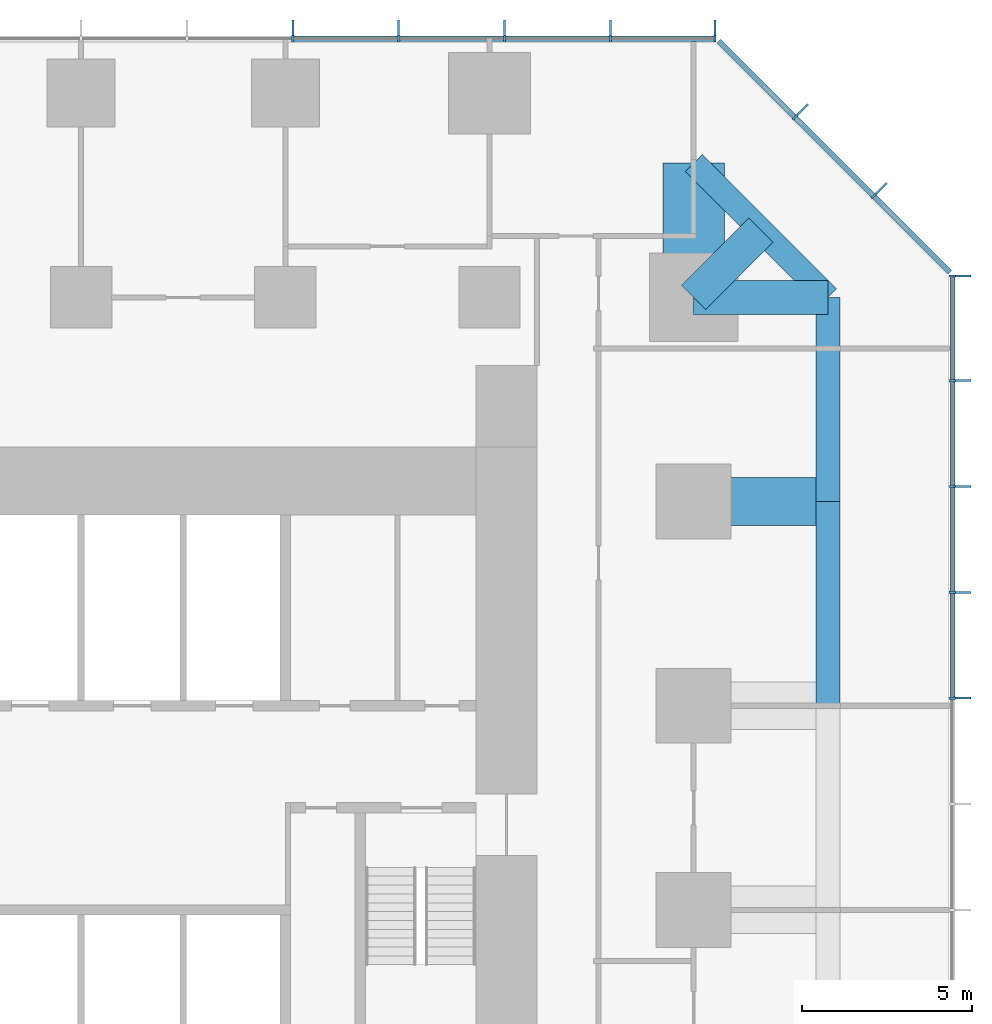
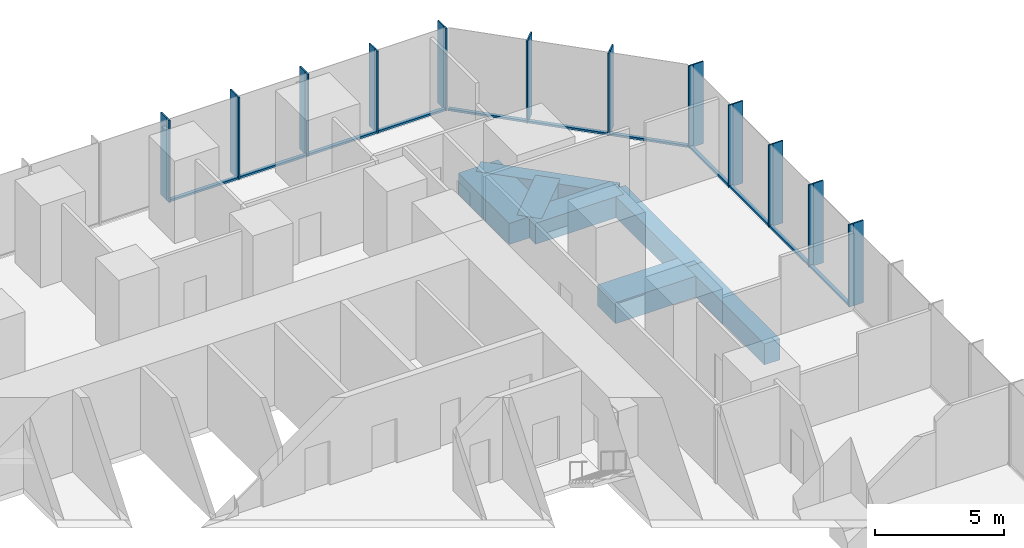
# One storey, part 6 of 12: 35 members, 7 beams, 3 elements without a shape of their own.
"""IFC4 building model written with IfcOpenShell, lengths in metres."""

from ifc_helpers import new_model, si_unit, direction, frame, origin, origin_2d, place, context, subcontext, project, spatial, rectangle, extrude, material, layer, layer_set, material_profile, profile_set, type_object, element, aggregate, save


model = new_model("IFC4")

# Units and contexts
model_context = context("Model", 3, precision=1e-05, world=origin(), true_north=direction((0.0, 1.0)))
body_context = subcontext(model_context, "Body", "Model", "MODEL_VIEW")
ifc_project = project(units=[si_unit("LENGTHUNIT", "METRE"), si_unit("AREAUNIT", "SQUARE_METRE"), si_unit("VOLUMEUNIT", "CUBIC_METRE"), si_unit("PLANEANGLEUNIT", "RADIAN"), si_unit("MASSUNIT", "GRAM", prefix="KILO")], contexts=[model_context])

# Site, building, storey
site_placement = place(None, origin())
site = spatial("IfcSite", under=ifc_project, at=site_placement, CompositionType="ELEMENT")
building_placement = place(site_placement, origin())
building = spatial("IfcBuilding", under=site, at=building_placement, Name="Highveld Stack Headquarters", CompositionType="ELEMENT")
storey_placement = place(building_placement, frame((0.0, 0.0, 53.300048828125)))
storey = spatial("IfcBuildingStorey", under=building, at=storey_placement, Name="L12", CompositionType="ELEMENT", Elevation=53.300048828125)

# Beams
ifc_material_1 = material(Name="Concrete C60/75", Category="concrete")
ifc_material_profile_1 = material_profile(ifc_material_1, rectangle(XDim=1.0, YDim=1.0, at=origin_2d()), Name="RC 1000x1000")
ifc_profile_set_1 = profile_set([ifc_material_profile_1], Name="Concrete C60/75")
beam_type_1 = type_object("IfcBeamType", Name="CANTILEVER RIB RC 1000x1000", PredefinedType="USERDEFINED", material=ifc_profile_set_1)
beam_1_placement = place(storey_placement, frame((24.0, 18.0, -0.75), z_axis=(1.0, 0.0, 0.0), x_axis=(0.0, 1.0, 0.0)))
element("IfcBeam", 1, at=beam_1_placement, inside=storey, type_object=beam_type_1, Name="Cantilever rib 10/H L12", ObjectType="CANTILEVER RIB", PredefinedType="USERDEFINED", context=body_context, shape_type="SweptSolid", body=[
    extrude(rectangle(XDim=1.0, YDim=1.0, at=origin_2d()), origin(), (0.0, 0.0, 1.0), 3.949951171875),
])
beam_2_placement = place(storey_placement, frame((24.0, 18.0, -0.75), z_axis=(0.707106781187, 0.707106781187, 0.0), x_axis=(-0.707106781187, 0.707106781187, 0.0)))
element("IfcBeam", 2, at=beam_2_placement, inside=storey, type_object=beam_type_1, Name="Cantilever rib 10/H L12", ObjectType="CANTILEVER RIB", PredefinedType="USERDEFINED", context=body_context, shape_type="SweptSolid", body=[
    extrude(rectangle(XDim=1.0, YDim=1.0, at=origin_2d()), origin(), (0.0, 0.0, 1.0), 2.793212890625),
])
ifc_material_2 = material(Name="Concrete C60/75", Category="concrete")
ifc_material_profile_2 = material_profile(ifc_material_2, rectangle(XDim=1.39990234375, YDim=1.0, at=origin_2d()), Name="RC 1400x1000")
ifc_profile_set_2 = profile_set([ifc_material_profile_2], Name="Concrete C60/75")
beam_type_2 = type_object("IfcBeamType", Name="CANTILEVER RIB RC 1400x1000", PredefinedType="USERDEFINED", material=ifc_profile_set_2)
beam_3_placement = place(storey_placement, frame((24.0, 12.0, -0.75), z_axis=(1.0, 0.0, 0.0), x_axis=(0.0, 1.0, 0.0)))
element("IfcBeam", 3, at=beam_3_placement, inside=storey, type_object=beam_type_2, Name="Cantilever rib 10/G L12", ObjectType="CANTILEVER RIB", PredefinedType="USERDEFINED", context=body_context, shape_type="SweptSolid", body=[
    extrude(rectangle(XDim=1.39990234375, YDim=1.0, at=origin_2d()), origin(), (0.0, 0.0, 1.0), 3.949951171875),
])
ifc_material_3 = material(Name="Concrete C60/75", Category="concrete")
ifc_material_profile_3 = material_profile(ifc_material_3, rectangle(XDim=1.800048828125, YDim=1.0, at=origin_2d()), Name="RC 1800x1000")
ifc_profile_set_3 = profile_set([ifc_material_profile_3], Name="Concrete C60/75")
beam_type_3 = type_object("IfcBeamType", Name="CANTILEVER RIB RC 1800x1000", PredefinedType="USERDEFINED", material=ifc_profile_set_3)
beam_4_placement = place(storey_placement, frame((24.0, 18.0, -0.75), z_axis=(0.0, 1.0, 0.0), x_axis=(-1.0, 0.0, 0.0)))
element("IfcBeam", 4, at=beam_4_placement, inside=storey, type_object=beam_type_3, Name="Cantilever rib 10/H L12", ObjectType="CANTILEVER RIB", PredefinedType="USERDEFINED", context=body_context, shape_type="SweptSolid", body=[
    extrude(rectangle(XDim=1.800048828125, YDim=1.0, at=origin_2d()), origin(), (0.0, 0.0, 1.0), 3.949951171875),
])

# Curtain wall, members
ifc_material_4 = material(Name="Aluminium bronze anodised", Category="aluminium")
ifc_layer_1 = layer(ifc_material_4, 0.199951171875)
ifc_layer_set_1 = layer_set([ifc_layer_1], Name="Aluminium bronze anodised")
curtain_wall_type_1 = type_object("IfcCurtainWallType", Name="CW1 TOWER UNITISED CURTAIN WALL", PredefinedType="NOTDEFINED", material=ifc_layer_set_1)
curtain_wall_1_placement = place(storey_placement, origin())
curtain_wall_1 = element("IfcCurtainWall", 5, at=curtain_wall_1_placement, inside=storey, type_object=curtain_wall_type_1, Name="Curtain wall CW1 L12 E", PredefinedType="NOTDEFINED")
ifc_material_5 = material(Name="Aluminium bronze anodised", Category="aluminium")
ifc_material_profile_4 = material_profile(ifc_material_5, rectangle(XDim=0.449951171875, YDim=0.06005859375, at=origin_2d()), Name="FIN 450x60")
ifc_profile_set_4 = profile_set([ifc_material_profile_4], Name="Aluminium bronze anodised")
member_type_1 = type_object("IfcMemberType", Name="CW1 BRONZE FIN 450x60", PredefinedType="USERDEFINED", material=ifc_profile_set_4)
member_1_placement = place(storey_placement, frame((31.925048828125, 6.220947265625, 0.0), z_axis=(0.0, 0.0, 1.0), x_axis=(-1.0, 0.0, 0.0)))
member_1 = element("IfcMember", 6, at=member_1_placement, type_object=member_type_1, Name="CW1 fin L12 9", ObjectType="FIN", PredefinedType="USERDEFINED", context=body_context, shape_type="SweptSolid", body=[
    extrude(rectangle(XDim=0.449951171875, YDim=0.06005859375, at=origin_2d()), origin(), (0.0, 0.0, 1.0), 3.89990234375),
])
member_2_placement = place(storey_placement, frame((31.925048828125, 9.331298828125, 0.0), z_axis=(0.0, 0.0, 1.0), x_axis=(-1.0, 0.0, 0.0)))
member_2 = element("IfcMember", 7, at=member_2_placement, type_object=member_type_1, Name="CW1 fin L12 10", ObjectType="FIN", PredefinedType="USERDEFINED", context=body_context, shape_type="SweptSolid", body=[
    extrude(rectangle(XDim=0.449951171875, YDim=0.06005859375, at=origin_2d()), origin(), (0.0, 0.0, 1.0), 3.89990234375),
])
member_3_placement = place(storey_placement, frame((31.925048828125, 12.44189453125, 0.0), z_axis=(0.0, 0.0, 1.0), x_axis=(-1.0, 0.0, 0.0)))
member_3 = element("IfcMember", 8, at=member_3_placement, type_object=member_type_1, Name="CW1 fin L12 11", ObjectType="FIN", PredefinedType="USERDEFINED", context=body_context, shape_type="SweptSolid", body=[
    extrude(rectangle(XDim=0.449951171875, YDim=0.06005859375, at=origin_2d()), origin(), (0.0, 0.0, 1.0), 3.89990234375),
])
member_4_placement = place(storey_placement, frame((31.925048828125, 15.55224609375, 0.0), z_axis=(0.0, 0.0, 1.0), x_axis=(-1.0, 0.0, 0.0)))
member_4 = element("IfcMember", 9, at=member_4_placement, type_object=member_type_1, Name="CW1 fin L12 12", ObjectType="FIN", PredefinedType="USERDEFINED", context=body_context, shape_type="SweptSolid", body=[
    extrude(rectangle(XDim=0.449951171875, YDim=0.06005859375, at=origin_2d()), origin(), (0.0, 0.0, 1.0), 3.89990234375),
])
member_5_placement = place(storey_placement, frame((31.925048828125, 18.630126953125, 0.0), z_axis=(0.0, 0.0, 1.0), x_axis=(-1.0, 0.0, 0.0)))
member_5 = element("IfcMember", 10, at=member_5_placement, type_object=member_type_1, Name="CW1 fin L12 13", ObjectType="FIN", PredefinedType="USERDEFINED", context=body_context, shape_type="SweptSolid", body=[
    extrude(rectangle(XDim=0.449951171875, YDim=0.06005859375, at=origin_2d()), origin(), (0.0, 0.0, 1.0), 3.89990234375),
])

curtain_wall_2_placement = place(storey_placement, origin())
curtain_wall_2 = element("IfcCurtainWall", 11, at=curtain_wall_2_placement, inside=storey, type_object=curtain_wall_type_1, Name="Curtain wall CW1 L12 N", PredefinedType="NOTDEFINED")
member_6_placement = place(storey_placement, frame((24.630126953125, 25.925048828125, 0.0), z_axis=(0.0, 0.0, 1.0), x_axis=(0.0, -1.0, 0.0)))
member_6 = element("IfcMember", 12, at=member_6_placement, type_object=member_type_1, Name="CW1 fin L12 1", ObjectType="FIN", PredefinedType="USERDEFINED", context=body_context, shape_type="SweptSolid", body=[
    extrude(rectangle(XDim=0.449951171875, YDim=0.06005859375, at=origin_2d()), origin(), (0.0, 0.0, 1.0), 3.89990234375),
])
member_7_placement = place(storey_placement, frame((21.55224609375, 25.925048828125, 0.0), z_axis=(0.0, 0.0, 1.0), x_axis=(0.0, -1.0, 0.0)))
member_7 = element("IfcMember", 13, at=member_7_placement, type_object=member_type_1, Name="CW1 fin L12 2", ObjectType="FIN", PredefinedType="USERDEFINED", context=body_context, shape_type="SweptSolid", body=[
    extrude(rectangle(XDim=0.449951171875, YDim=0.06005859375, at=origin_2d()), origin(), (0.0, 0.0, 1.0), 3.89990234375),
])
member_8_placement = place(storey_placement, frame((18.44189453125, 25.925048828125, 0.0), z_axis=(0.0, 0.0, 1.0), x_axis=(0.0, -1.0, 0.0)))
member_8 = element("IfcMember", 14, at=member_8_placement, type_object=member_type_1, Name="CW1 fin L12 3", ObjectType="FIN", PredefinedType="USERDEFINED", context=body_context, shape_type="SweptSolid", body=[
    extrude(rectangle(XDim=0.449951171875, YDim=0.06005859375, at=origin_2d()), origin(), (0.0, 0.0, 1.0), 3.89990234375),
])
member_9_placement = place(storey_placement, frame((15.331298828125, 25.925048828125, 0.0), z_axis=(0.0, 0.0, 1.0), x_axis=(0.0, -1.0, 0.0)))
member_9 = element("IfcMember", 15, at=member_9_placement, type_object=member_type_1, Name="CW1 fin L12 4", ObjectType="FIN", PredefinedType="USERDEFINED", context=body_context, shape_type="SweptSolid", body=[
    extrude(rectangle(XDim=0.449951171875, YDim=0.06005859375, at=origin_2d()), origin(), (0.0, 0.0, 1.0), 3.89990234375),
])
member_10_placement = place(storey_placement, frame((12.220947265625, 25.925048828125, 0.0), z_axis=(0.0, 0.0, 1.0), x_axis=(0.0, -1.0, 0.0)))
member_10 = element("IfcMember", 16, at=member_10_placement, type_object=member_type_1, Name="CW1 fin L12 5", ObjectType="FIN", PredefinedType="USERDEFINED", context=body_context, shape_type="SweptSolid", body=[
    extrude(rectangle(XDim=0.449951171875, YDim=0.06005859375, at=origin_2d()), origin(), (0.0, 0.0, 1.0), 3.89990234375),
])

# Member
ifc_material_6 = material(Name="Aluminium bronze anodised", Category="aluminium")
ifc_material_profile_5 = material_profile(ifc_material_6, rectangle(XDim=0.199951171875, YDim=0.06494140625, at=origin_2d()), Name="CW1 MULLION 65x200")
ifc_profile_set_5 = profile_set([ifc_material_profile_5], Name="Aluminium bronze anodised")
member_type_2 = type_object("IfcMemberType", Name="CW1 MULLION 65x200", PredefinedType="MULLION", material=ifc_profile_set_5)
member_11_placement = place(storey_placement, frame((31.60009765625, 6.220947265625, 0.0), z_axis=(0.0, 0.0, 1.0), x_axis=(-1.0, 0.0, 0.0)))
member_11 = element("IfcMember", 17, at=member_11_placement, type_object=member_type_2, Name="CW1 mullion L12 9", PredefinedType="MULLION", context=body_context, shape_type="SweptSolid", body=[
    extrude(rectangle(XDim=0.199951171875, YDim=0.06494140625, at=origin_2d()), origin(), (0.0, 0.0, 1.0), 3.89990234375),
])

member_12_placement = place(storey_placement, frame((31.60009765625, 9.331298828125, 0.0), z_axis=(0.0, 0.0, 1.0), x_axis=(-1.0, 0.0, 0.0)))
member_12 = element("IfcMember", 18, at=member_12_placement, type_object=member_type_2, Name="CW1 mullion L12 10", PredefinedType="MULLION", context=body_context, shape_type="SweptSolid", body=[
    extrude(rectangle(XDim=0.199951171875, YDim=0.06494140625, at=origin_2d()), origin(), (0.0, 0.0, 1.0), 3.89990234375),
])

member_13_placement = place(storey_placement, frame((31.60009765625, 12.44189453125, 0.0), z_axis=(0.0, 0.0, 1.0), x_axis=(-1.0, 0.0, 0.0)))
member_13 = element("IfcMember", 19, at=member_13_placement, type_object=member_type_2, Name="CW1 mullion L12 11", PredefinedType="MULLION", context=body_context, shape_type="SweptSolid", body=[
    extrude(rectangle(XDim=0.199951171875, YDim=0.06494140625, at=origin_2d()), origin(), (0.0, 0.0, 1.0), 3.89990234375),
])

member_14_placement = place(storey_placement, frame((31.60009765625, 15.55224609375, 0.0), z_axis=(0.0, 0.0, 1.0), x_axis=(-1.0, 0.0, 0.0)))
member_14 = element("IfcMember", 20, at=member_14_placement, type_object=member_type_2, Name="CW1 mullion L12 12", PredefinedType="MULLION", context=body_context, shape_type="SweptSolid", body=[
    extrude(rectangle(XDim=0.199951171875, YDim=0.06494140625, at=origin_2d()), origin(), (0.0, 0.0, 1.0), 3.89990234375),
])

member_15_placement = place(storey_placement, frame((31.60009765625, 18.630126953125, 0.0), z_axis=(0.0, 0.0, 1.0), x_axis=(-1.0, 0.0, 0.0)))
member_15 = element("IfcMember", 21, at=member_15_placement, type_object=member_type_2, Name="CW1 mullion L12 13", PredefinedType="MULLION", context=body_context, shape_type="SweptSolid", body=[
    extrude(rectangle(XDim=0.199951171875, YDim=0.06494140625, at=origin_2d()), origin(), (0.0, 0.0, 1.0), 3.89990234375),
])

member_16_placement = place(storey_placement, frame((24.630126953125, 25.60009765625, 0.0), z_axis=(0.0, 0.0, 1.0), x_axis=(0.0, -1.0, 0.0)))
member_16 = element("IfcMember", 22, at=member_16_placement, type_object=member_type_2, Name="CW1 mullion L12 1", PredefinedType="MULLION", context=body_context, shape_type="SweptSolid", body=[
    extrude(rectangle(XDim=0.199951171875, YDim=0.06494140625, at=origin_2d()), origin(), (0.0, 0.0, 1.0), 3.89990234375),
])

member_17_placement = place(storey_placement, frame((21.55224609375, 25.60009765625, 0.0), z_axis=(0.0, 0.0, 1.0), x_axis=(0.0, -1.0, 0.0)))
member_17 = element("IfcMember", 23, at=member_17_placement, type_object=member_type_2, Name="CW1 mullion L12 2", PredefinedType="MULLION", context=body_context, shape_type="SweptSolid", body=[
    extrude(rectangle(XDim=0.199951171875, YDim=0.06494140625, at=origin_2d()), origin(), (0.0, 0.0, 1.0), 3.89990234375),
])

member_18_placement = place(storey_placement, frame((18.44189453125, 25.60009765625, 0.0), z_axis=(0.0, 0.0, 1.0), x_axis=(0.0, -1.0, 0.0)))
member_18 = element("IfcMember", 24, at=member_18_placement, type_object=member_type_2, Name="CW1 mullion L12 3", PredefinedType="MULLION", context=body_context, shape_type="SweptSolid", body=[
    extrude(rectangle(XDim=0.199951171875, YDim=0.06494140625, at=origin_2d()), origin(), (0.0, 0.0, 1.0), 3.89990234375),
])

member_19_placement = place(storey_placement, frame((15.331298828125, 25.60009765625, 0.0), z_axis=(0.0, 0.0, 1.0), x_axis=(0.0, -1.0, 0.0)))
member_19 = element("IfcMember", 25, at=member_19_placement, type_object=member_type_2, Name="CW1 mullion L12 4", PredefinedType="MULLION", context=body_context, shape_type="SweptSolid", body=[
    extrude(rectangle(XDim=0.199951171875, YDim=0.06494140625, at=origin_2d()), origin(), (0.0, 0.0, 1.0), 3.89990234375),
])

member_20_placement = place(storey_placement, frame((12.220947265625, 25.60009765625, 0.0), z_axis=(0.0, 0.0, 1.0), x_axis=(0.0, -1.0, 0.0)))
member_20 = element("IfcMember", 26, at=member_20_placement, type_object=member_type_2, Name="CW1 mullion L12 5", PredefinedType="MULLION", context=body_context, shape_type="SweptSolid", body=[
    extrude(rectangle(XDim=0.199951171875, YDim=0.06494140625, at=origin_2d()), origin(), (0.0, 0.0, 1.0), 3.89990234375),
])

ifc_material_7 = material(Name="Aluminium bronze anodised", Category="aluminium")
ifc_material_profile_6 = material_profile(ifc_material_7, rectangle(XDim=0.14990234375, YDim=0.10009765625, at=origin_2d()), Name="CW1 TRANSOM 150x100")
ifc_profile_set_6 = profile_set([ifc_material_profile_6], Name="Aluminium bronze anodised")
member_type_3 = type_object("IfcMemberType", Name="CW1 STACK TRANSOM 150x100", PredefinedType="USERDEFINED", material=ifc_profile_set_6)
member_21_placement = place(storey_placement, frame((31.60009765625, 6.25341796875, 0.050048828125), z_axis=(0.0, 1.0, 0.0), x_axis=(-1.0, 0.0, 0.0)))
member_21 = element("IfcMember", 27, at=member_21_placement, type_object=member_type_3, Name="CW1 transom L12 9.1", ObjectType="TRANSOM", PredefinedType="USERDEFINED", context=body_context, shape_type="SweptSolid", body=[
    extrude(rectangle(XDim=0.14990234375, YDim=0.10009765625, at=origin_2d()), origin(), (0.0, 0.0, 1.0), 3.04541015625),
])

member_22_placement = place(storey_placement, frame((31.60009765625, 9.36376953125, 0.050048828125), z_axis=(0.0, 1.0, 0.0), x_axis=(-1.0, 0.0, 0.0)))
member_22 = element("IfcMember", 28, at=member_22_placement, type_object=member_type_3, Name="CW1 transom L12 10.1", ObjectType="TRANSOM", PredefinedType="USERDEFINED", context=body_context, shape_type="SweptSolid", body=[
    extrude(rectangle(XDim=0.14990234375, YDim=0.10009765625, at=origin_2d()), origin(), (0.0, 0.0, 1.0), 3.04541015625),
])

member_23_placement = place(storey_placement, frame((31.60009765625, 12.474365234375, 0.050048828125), z_axis=(0.0, 1.0, 0.0), x_axis=(-1.0, 0.0, 0.0)))
member_23 = element("IfcMember", 29, at=member_23_placement, type_object=member_type_3, Name="CW1 transom L12 11.1", ObjectType="TRANSOM", PredefinedType="USERDEFINED", context=body_context, shape_type="SweptSolid", body=[
    extrude(rectangle(XDim=0.14990234375, YDim=0.10009765625, at=origin_2d()), origin(), (0.0, 0.0, 1.0), 3.04541015625),
])

member_24_placement = place(storey_placement, frame((31.60009765625, 15.584716796875, 0.050048828125), z_axis=(0.0, 1.0, 0.0), x_axis=(-1.0, 0.0, 0.0)))
member_24 = element("IfcMember", 30, at=member_24_placement, type_object=member_type_3, Name="CW1 transom L12 12.1", ObjectType="TRANSOM", PredefinedType="USERDEFINED", context=body_context, shape_type="SweptSolid", body=[
    extrude(rectangle(XDim=0.14990234375, YDim=0.10009765625, at=origin_2d()), origin(), (0.0, 0.0, 1.0), 3.012939453125),
])

aggregate(curtain_wall_1, [member_11, member_1, member_12, member_2, member_13, member_3, member_14, member_4, member_15, member_5, member_21, member_22, member_23, member_24])

member_25_placement = place(storey_placement, frame((24.59765625, 25.60009765625, 0.050048828125), z_axis=(-1.0, 0.0, 0.0), x_axis=(0.0, -1.0, 0.0)))
member_25 = element("IfcMember", 31, at=member_25_placement, type_object=member_type_3, Name="CW1 transom L12 1.1", ObjectType="TRANSOM", PredefinedType="USERDEFINED", context=body_context, shape_type="SweptSolid", body=[
    extrude(rectangle(XDim=0.14990234375, YDim=0.10009765625, at=origin_2d()), origin(), (0.0, 0.0, 1.0), 3.012939453125),
])

member_26_placement = place(storey_placement, frame((21.519775390625, 25.60009765625, 0.050048828125), z_axis=(-1.0, 0.0, 0.0), x_axis=(0.0, -1.0, 0.0)))
member_26 = element("IfcMember", 32, at=member_26_placement, type_object=member_type_3, Name="CW1 transom L12 2.1", ObjectType="TRANSOM", PredefinedType="USERDEFINED", context=body_context, shape_type="SweptSolid", body=[
    extrude(rectangle(XDim=0.14990234375, YDim=0.10009765625, at=origin_2d()), origin(), (0.0, 0.0, 1.0), 3.04541015625),
])

member_27_placement = place(storey_placement, frame((18.4091796875, 25.60009765625, 0.050048828125), z_axis=(-1.0, 0.0, 0.0), x_axis=(0.0, -1.0, 0.0)))
member_27 = element("IfcMember", 33, at=member_27_placement, type_object=member_type_3, Name="CW1 transom L12 3.1", ObjectType="TRANSOM", PredefinedType="USERDEFINED", context=body_context, shape_type="SweptSolid", body=[
    extrude(rectangle(XDim=0.14990234375, YDim=0.10009765625, at=origin_2d()), origin(), (0.0, 0.0, 1.0), 3.045166015625),
])

member_28_placement = place(storey_placement, frame((15.298828125, 25.60009765625, 0.050048828125), z_axis=(-1.0, 0.0, 0.0), x_axis=(0.0, -1.0, 0.0)))
member_28 = element("IfcMember", 34, at=member_28_placement, type_object=member_type_3, Name="CW1 transom L12 4.1", ObjectType="TRANSOM", PredefinedType="USERDEFINED", context=body_context, shape_type="SweptSolid", body=[
    extrude(rectangle(XDim=0.14990234375, YDim=0.10009765625, at=origin_2d()), origin(), (0.0, 0.0, 1.0), 3.04541015625),
])

aggregate(curtain_wall_2, [member_16, member_6, member_17, member_7, member_18, member_8, member_19, member_9, member_20, member_10, member_25, member_26, member_27, member_28])

# Curtain wall, members
ifc_material_8 = material(Name="Aluminium bronze anodised", Category="aluminium")
ifc_layer_2 = layer(ifc_material_8, 0.199951171875)
ifc_layer_set_2 = layer_set([ifc_layer_2], Name="Aluminium bronze anodised")
curtain_wall_type_2 = type_object("IfcCurtainWallType", Name="CW2 TOWER CHAMFER UNITISED CURTAIN WALL", PredefinedType="NOTDEFINED", material=ifc_layer_set_2)
curtain_wall_3_placement = place(storey_placement, origin())
curtain_wall_3 = element("IfcCurtainWall", 35, at=curtain_wall_3_placement, inside=storey, type_object=curtain_wall_type_2, Name="Curtain wall CW2 L12 NE", PredefinedType="NOTDEFINED")
ifc_material_9 = material(Name="Aluminium bronze anodised", Category="aluminium")
ifc_material_profile_7 = material_profile(ifc_material_9, rectangle(XDim=0.449951171875, YDim=0.06005859375, at=origin_2d()), Name="FIN 450x60")
ifc_profile_set_7 = profile_set([ifc_material_profile_7], Name="Aluminium bronze anodised")
member_type_4 = type_object("IfcMemberType", Name="CW2 BRONZE FIN 450x60", PredefinedType="USERDEFINED", material=ifc_profile_set_7)
member_29_placement = place(storey_placement, frame((29.517333984375, 21.204833984375, 0.0), z_axis=(0.0, 0.0, 1.0), x_axis=(-0.707106781187, -0.707106781187, 0.0)))
member_29 = element("IfcMember", 36, at=member_29_placement, type_object=member_type_4, Name="CW2 fin L12 1", ObjectType="FIN", PredefinedType="USERDEFINED", context=body_context, shape_type="SweptSolid", body=[
    extrude(rectangle(XDim=0.449951171875, YDim=0.06005859375, at=origin_2d()), origin(), (0.0, 0.0, 1.0), 3.89990234375),
])
member_30_placement = place(storey_placement, frame((27.204833984375, 23.517333984375, 0.0), z_axis=(0.0, 0.0, 1.0), x_axis=(-0.707106781187, -0.707106781187, 0.0)))
member_30 = element("IfcMember", 37, at=member_30_placement, type_object=member_type_4, Name="CW2 fin L12 2", ObjectType="FIN", PredefinedType="USERDEFINED", context=body_context, shape_type="SweptSolid", body=[
    extrude(rectangle(XDim=0.449951171875, YDim=0.06005859375, at=origin_2d()), origin(), (0.0, 0.0, 1.0), 3.89990234375),
])
ifc_material_10 = material(Name="Aluminium bronze anodised", Category="aluminium")
ifc_material_profile_8 = material_profile(ifc_material_10, rectangle(XDim=0.199951171875, YDim=0.06494140625, at=origin_2d()), Name="CW2 MULLION 65x200")
ifc_profile_set_8 = profile_set([ifc_material_profile_8], Name="Aluminium bronze anodised")
member_type_5 = type_object("IfcMemberType", Name="CW2 MULLION 65x200", PredefinedType="MULLION", material=ifc_profile_set_8)
member_31_placement = place(storey_placement, frame((29.28759765625, 20.97509765625, 0.0), z_axis=(0.0, 0.0, 1.0), x_axis=(-0.707106781187, -0.707106781187, 0.0)))
member_31 = element("IfcMember", 38, at=member_31_placement, type_object=member_type_5, Name="CW2 mullion L12 1", PredefinedType="MULLION", context=body_context, shape_type="SweptSolid", body=[
    extrude(rectangle(XDim=0.199951171875, YDim=0.06494140625, at=origin_2d()), origin(), (0.0, 0.0, 1.0), 3.89990234375),
])
member_32_placement = place(storey_placement, frame((26.97509765625, 23.28759765625, 0.0), z_axis=(0.0, 0.0, 1.0), x_axis=(-0.707106781187, -0.707106781187, 0.0)))
member_32 = element("IfcMember", 39, at=member_32_placement, type_object=member_type_5, Name="CW2 mullion L12 2", PredefinedType="MULLION", context=body_context, shape_type="SweptSolid", body=[
    extrude(rectangle(XDim=0.199951171875, YDim=0.06494140625, at=origin_2d()), origin(), (0.0, 0.0, 1.0), 3.89990234375),
])
ifc_material_11 = material(Name="Aluminium bronze anodised", Category="aluminium")
ifc_material_profile_9 = material_profile(ifc_material_11, rectangle(XDim=0.14990234375, YDim=0.10009765625, at=origin_2d()), Name="CW2 TRANSOM 150x100")
ifc_profile_set_9 = profile_set([ifc_material_profile_9], Name="Aluminium bronze anodised")
member_type_6 = type_object("IfcMemberType", Name="CW2 STACK TRANSOM 150x100", PredefinedType="USERDEFINED", material=ifc_profile_set_9)
member_33_placement = place(storey_placement, frame((31.529296875, 18.7333984375, 0.050048828125), z_axis=(-0.707106781187, 0.707106781187, 0.0), x_axis=(-0.707106781187, -0.707106781187, 0.0)))
member_33 = element("IfcMember", 40, at=member_33_placement, type_object=member_type_6, Name="CW2 transom L12 1.1", ObjectType="TRANSOM", PredefinedType="USERDEFINED", context=body_context, shape_type="SweptSolid", body=[
    extrude(rectangle(XDim=0.14990234375, YDim=0.10009765625, at=origin_2d()), origin(), (0.0, 0.0, 1.0), 3.1376953125),
])
member_34_placement = place(storey_placement, frame((29.2646484375, 20.998046875, 0.050048828125), z_axis=(-0.707106781187, 0.707106781187, 0.0), x_axis=(-0.707106781187, -0.707106781187, 0.0)))
member_34 = element("IfcMember", 41, at=member_34_placement, type_object=member_type_6, Name="CW2 transom L12 2.1", ObjectType="TRANSOM", PredefinedType="USERDEFINED", context=body_context, shape_type="SweptSolid", body=[
    extrude(rectangle(XDim=0.14990234375, YDim=0.10009765625, at=origin_2d()), origin(), (0.0, 0.0, 1.0), 3.20556640625),
])
member_35_placement = place(storey_placement, frame((26.9521484375, 23.310546875, 0.050048828125), z_axis=(-0.707106781187, 0.707106781187, 0.0), x_axis=(-0.707106781187, -0.707106781187, 0.0)))
member_35 = element("IfcMember", 42, at=member_35_placement, type_object=member_type_6, Name="CW2 transom L12 3.1", ObjectType="TRANSOM", PredefinedType="USERDEFINED", context=body_context, shape_type="SweptSolid", body=[
    extrude(rectangle(XDim=0.14990234375, YDim=0.10009765625, at=origin_2d()), origin(), (0.0, 0.0, 1.0), 3.1376953125),
])
aggregate(curtain_wall_3, [member_31, member_29, member_32, member_30, member_33, member_34, member_35])

# Beams
ifc_material_12 = material(Name="Concrete C60/75", Category="concrete")
ifc_material_profile_10 = material_profile(ifc_material_12, rectangle(XDim=0.699951171875, YDim=1.0, at=origin_2d()), Name="RC 700x1000")
ifc_profile_set_10 = profile_set([ifc_material_profile_10], Name="Concrete C60/75")
beam_type_4 = type_object("IfcBeamType", Name="RIB TIP BEAM RC 700x1000", PredefinedType="SPANDREL", material=ifc_profile_set_10)
for number, where, z_axis, x_axis, name in (
    (43, (27.949951171875, 6.0, -0.75), (0.0, 1.0, 0.0), (-1.0, 0.0, 0.0), "Rib tip beam 10/F to 10/G L12"),
    (44, (27.949951171875, 12.0, -0.75), (0.0, 1.0, 0.0), (-1.0, 0.0, 0.0), "Rib tip beam 10/G to 10/H L12"),
):
    element("IfcBeam", number, at=place(storey_placement, frame(where, z_axis=z_axis, x_axis=x_axis)), inside=storey, type_object=beam_type_4, Name=name, PredefinedType="SPANDREL", context=body_context, shape_type="SweptSolid", body=[
        extrude(rectangle(XDim=0.699951171875, YDim=1.0, at=origin_2d()), origin(), (0.0, 0.0, 1.0), 6.0),
    ])
beam_5_placement = place(storey_placement, frame((27.949951171875, 18.0, -0.75), z_axis=(-0.707106781187, 0.707106781187, 0.0), x_axis=(-0.707106781187, -0.707106781187, 0.0)))
element("IfcBeam", 45, at=beam_5_placement, inside=storey, type_object=beam_type_4, Name="Rib tip beam 10/H corner L12", PredefinedType="SPANDREL", context=body_context, shape_type="SweptSolid", body=[
    extrude(rectangle(XDim=0.699951171875, YDim=1.0, at=origin_2d()), origin(), (0.0, 0.0, 1.0), 5.586181640625),
])

save(model, "model.ifc")
